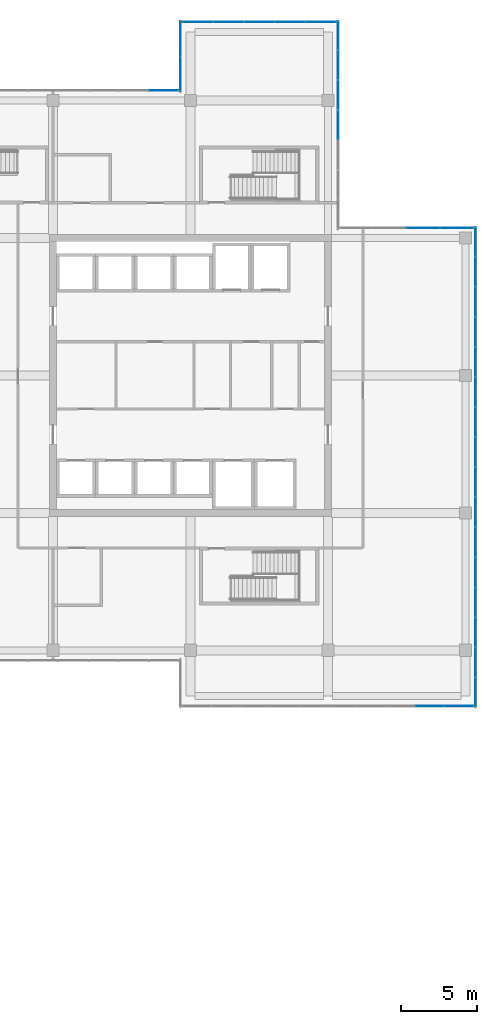
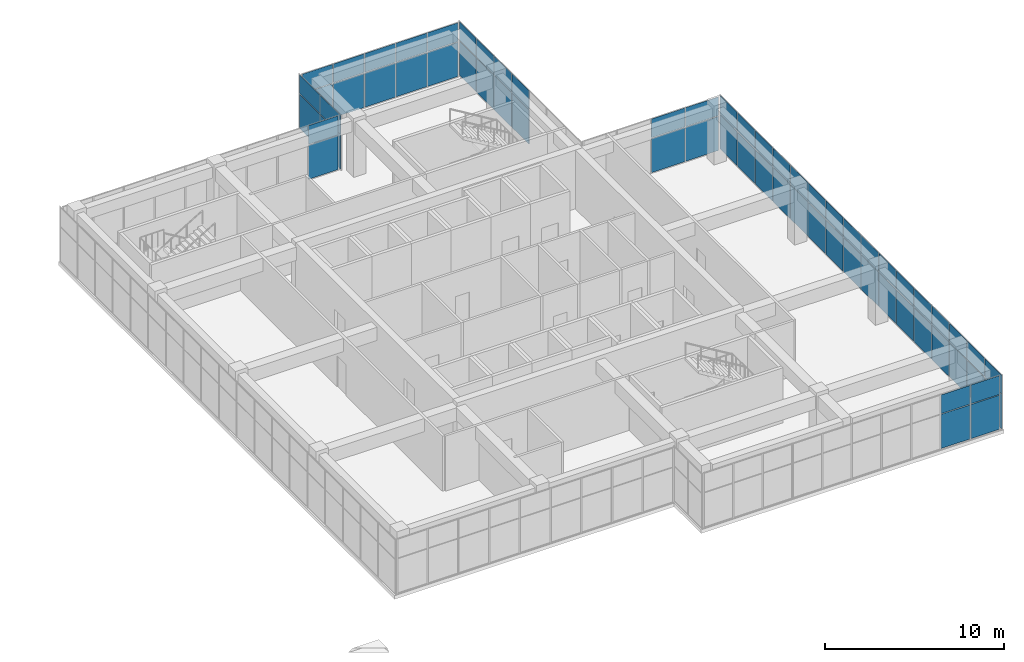
# One storey, part 45 of 55: 64 plates, 7 elements without a shape of their own.
"""IFC4 building model written with IfcOpenShell, lengths in metres."""

from ifc_helpers import new_model, si_unit, direction, frame, origin, origin_2d, place, context, subcontext, project, spatial, rectangle, extrude, material, layer, layer_set, type_object, element, aggregate, save


model = new_model("IFC4")

# Units and contexts
model_context = context("Model", 3, precision=1e-05, world=origin(), true_north=direction((0.0, 1.0)))
body_context = subcontext(model_context, "Body", "Model", "MODEL_VIEW")
ifc_project = project(units=[si_unit("LENGTHUNIT", "METRE"), si_unit("AREAUNIT", "SQUARE_METRE"), si_unit("VOLUMEUNIT", "CUBIC_METRE"), si_unit("PLANEANGLEUNIT", "RADIAN"), si_unit("MASSUNIT", "GRAM", prefix="KILO")], contexts=[model_context])

# Site, building, storey
site_placement = place(None, origin())
site = spatial("IfcSite", under=ifc_project, at=site_placement, CompositionType="ELEMENT")
building_placement = place(site_placement, origin())
building = spatial("IfcBuilding", under=site, at=building_placement, Name="Tuart Plaza Theatre", CompositionType="ELEMENT")
storey_placement = place(building_placement, frame((0.0, 0.0, 21.5)))
storey = spatial("IfcBuildingStorey", under=building, at=storey_placement, Name="L05", CompositionType="ELEMENT", Elevation=21.5)

# Curtain wall, plates
ifc_material_1 = material(Name="Aluminium and glass", Category="aluminium")
ifc_layer_1 = layer(ifc_material_1, 0.10009765625)
ifc_layer_set_1 = layer_set([ifc_layer_1], Name="CURTAIN WALL 2000 module")
curtain_wall_type = type_object("IfcCurtainWallType", Name="CURTAIN WALL 2000 module", PredefinedType="NOTDEFINED", material=ifc_layer_set_1)
curtain_wall_1_placement = place(storey_placement, origin())
curtain_wall_1 = element("IfcCurtainWall", 1, at=curtain_wall_1_placement, inside=storey, type_object=curtain_wall_type, Name="CW76", PredefinedType="NOTDEFINED")
ifc_material_2 = material(Name="Glass", Category="glass")
ifc_layer_2 = layer(ifc_material_2, 0.028076171875)
ifc_layer_set_2 = layer_set([ifc_layer_2], Name="CURTAIN PANEL double glazed 28")
plate_type = type_object("IfcPlateType", Name="CURTAIN PANEL double glazed 28", PredefinedType="CURTAIN_PANEL", material=ifc_layer_set_2)
plate_1_placement = place(storey_placement, frame((147.68505859375, 52.35009765625, 0.0498046875), z_axis=(0.0, 0.0, 1.0), x_axis=(1.0, 0.0, 0.0)))
plate_1 = element("IfcPlate", 2, at=plate_1_placement, type_object=plate_type, Name="CW76 panel 9.1", PredefinedType="CURTAIN_PANEL", context=body_context, shape_type="SweptSolid", body=[
    extrude(rectangle(XDim=1.860107421875, YDim=0.028076171875, at=origin_2d()), origin(), (0.0, 0.0, 1.0), 2.324951171875),
])
plate_2_placement = place(storey_placement, frame((147.68505859375, 52.35009765625, 2.425048828125), z_axis=(0.0, 0.0, 1.0), x_axis=(1.0, 0.0, 0.0)))
plate_2 = element("IfcPlate", 3, at=plate_2_placement, type_object=plate_type, Name="CW76 panel 9.2", PredefinedType="CURTAIN_PANEL", context=body_context, shape_type="SweptSolid", body=[
    extrude(rectangle(XDim=1.860107421875, YDim=0.028076171875, at=origin_2d()), origin(), (0.0, 0.0, 1.0), 1.27490234375),
])
plate_3_placement = place(storey_placement, frame((149.58251953125, 52.35009765625, 0.0498046875), z_axis=(0.0, 0.0, 1.0), x_axis=(1.0, 0.0, 0.0)))
plate_3 = element("IfcPlate", 4, at=plate_3_placement, type_object=plate_type, Name="CW76 panel 10.1", PredefinedType="CURTAIN_PANEL", context=body_context, shape_type="SweptSolid", body=[
    extrude(rectangle(XDim=1.8349609375, YDim=0.028076171875, at=origin_2d()), origin(), (0.0, 0.0, 1.0), 2.324951171875),
])
plate_4_placement = place(storey_placement, frame((149.58251953125, 52.35009765625, 2.425048828125), z_axis=(0.0, 0.0, 1.0), x_axis=(1.0, 0.0, 0.0)))
plate_4 = element("IfcPlate", 5, at=plate_4_placement, type_object=plate_type, Name="CW76 panel 10.2", PredefinedType="CURTAIN_PANEL", context=body_context, shape_type="SweptSolid", body=[
    extrude(rectangle(XDim=1.8349609375, YDim=0.028076171875, at=origin_2d()), origin(), (0.0, 0.0, 1.0), 1.27490234375),
])
aggregate(curtain_wall_1, [plate_1, plate_2, plate_3, plate_4])

curtain_wall_2_placement = place(storey_placement, origin())
curtain_wall_2 = element("IfcCurtainWall", 6, at=curtain_wall_2_placement, inside=storey, type_object=curtain_wall_type, Name="CW78", PredefinedType="NOTDEFINED")
plate_5_placement = place(storey_placement, frame((150.64990234375, 53.246826171875, 0.0498046875), z_axis=(0.0, 0.0, 1.0), x_axis=(0.0, 1.0, 0.0)))
plate_5 = element("IfcPlate", 7, at=plate_5_placement, type_object=plate_type, Name="CW78 panel 1.1", PredefinedType="CURTAIN_PANEL", context=body_context, shape_type="SweptSolid", body=[
    extrude(rectangle(XDim=1.893798828125, YDim=0.028076171875, at=origin_2d()), origin(), (0.0, 0.0, 1.0), 2.324951171875),
])
plate_6_placement = place(storey_placement, frame((150.64990234375, 53.246826171875, 2.425048828125), z_axis=(0.0, 0.0, 1.0), x_axis=(0.0, 1.0, 0.0)))
plate_6 = element("IfcPlate", 8, at=plate_6_placement, type_object=plate_type, Name="CW78 panel 1.2", PredefinedType="CURTAIN_PANEL", context=body_context, shape_type="SweptSolid", body=[
    extrude(rectangle(XDim=1.893798828125, YDim=0.028076171875, at=origin_2d()), origin(), (0.0, 0.0, 1.0), 1.27490234375),
])
plate_7_placement = place(storey_placement, frame((150.64990234375, 55.203125, 0.0498046875), z_axis=(0.0, 0.0, 1.0), x_axis=(0.0, 1.0, 0.0)))
plate_7 = element("IfcPlate", 9, at=plate_7_placement, type_object=plate_type, Name="CW78 panel 2.1", PredefinedType="CURTAIN_PANEL", context=body_context, shape_type="SweptSolid", body=[
    extrude(rectangle(XDim=1.918701171875, YDim=0.028076171875, at=origin_2d()), origin(), (0.0, 0.0, 1.0), 2.324951171875),
])
plate_8_placement = place(storey_placement, frame((150.64990234375, 55.203125, 2.425048828125), z_axis=(0.0, 0.0, 1.0), x_axis=(0.0, 1.0, 0.0)))
plate_8 = element("IfcPlate", 10, at=plate_8_placement, type_object=plate_type, Name="CW78 panel 2.2", PredefinedType="CURTAIN_PANEL", context=body_context, shape_type="SweptSolid", body=[
    extrude(rectangle(XDim=1.918701171875, YDim=0.028076171875, at=origin_2d()), origin(), (0.0, 0.0, 1.0), 1.27490234375),
])
plate_9_placement = place(storey_placement, frame((150.64990234375, 57.171875, 0.0498046875), z_axis=(0.0, 0.0, 1.0), x_axis=(0.0, 1.0, 0.0)))
plate_9 = element("IfcPlate", 11, at=plate_9_placement, type_object=plate_type, Name="CW78 panel 3.1", PredefinedType="CURTAIN_PANEL", context=body_context, shape_type="SweptSolid", body=[
    extrude(rectangle(XDim=1.918701171875, YDim=0.028076171875, at=origin_2d()), origin(), (0.0, 0.0, 1.0), 2.324951171875),
])
plate_10_placement = place(storey_placement, frame((150.64990234375, 57.171875, 2.425048828125), z_axis=(0.0, 0.0, 1.0), x_axis=(0.0, 1.0, 0.0)))
plate_10 = element("IfcPlate", 12, at=plate_10_placement, type_object=plate_type, Name="CW78 panel 3.2", PredefinedType="CURTAIN_PANEL", context=body_context, shape_type="SweptSolid", body=[
    extrude(rectangle(XDim=1.918701171875, YDim=0.028076171875, at=origin_2d()), origin(), (0.0, 0.0, 1.0), 1.27490234375),
])
plate_11_placement = place(storey_placement, frame((150.64990234375, 59.140625, 0.0498046875), z_axis=(0.0, 0.0, 1.0), x_axis=(0.0, 1.0, 0.0)))
plate_11 = element("IfcPlate", 13, at=plate_11_placement, type_object=plate_type, Name="CW78 panel 4.1", PredefinedType="CURTAIN_PANEL", context=body_context, shape_type="SweptSolid", body=[
    extrude(rectangle(XDim=1.918701171875, YDim=0.028076171875, at=origin_2d()), origin(), (0.0, 0.0, 1.0), 2.324951171875),
])
plate_12_placement = place(storey_placement, frame((150.64990234375, 59.140625, 2.425048828125), z_axis=(0.0, 0.0, 1.0), x_axis=(0.0, 1.0, 0.0)))
plate_12 = element("IfcPlate", 14, at=plate_12_placement, type_object=plate_type, Name="CW78 panel 4.2", PredefinedType="CURTAIN_PANEL", context=body_context, shape_type="SweptSolid", body=[
    extrude(rectangle(XDim=1.918701171875, YDim=0.028076171875, at=origin_2d()), origin(), (0.0, 0.0, 1.0), 1.27490234375),
])
plate_13_placement = place(storey_placement, frame((150.64990234375, 61.109375, 0.0498046875), z_axis=(0.0, 0.0, 1.0), x_axis=(0.0, 1.0, 0.0)))
plate_13 = element("IfcPlate", 15, at=plate_13_placement, type_object=plate_type, Name="CW78 panel 5.1", PredefinedType="CURTAIN_PANEL", context=body_context, shape_type="SweptSolid", body=[
    extrude(rectangle(XDim=1.918701171875, YDim=0.028076171875, at=origin_2d()), origin(), (0.0, 0.0, 1.0), 2.324951171875),
])
plate_14_placement = place(storey_placement, frame((150.64990234375, 61.109375, 2.425048828125), z_axis=(0.0, 0.0, 1.0), x_axis=(0.0, 1.0, 0.0)))
plate_14 = element("IfcPlate", 16, at=plate_14_placement, type_object=plate_type, Name="CW78 panel 5.2", PredefinedType="CURTAIN_PANEL", context=body_context, shape_type="SweptSolid", body=[
    extrude(rectangle(XDim=1.918701171875, YDim=0.028076171875, at=origin_2d()), origin(), (0.0, 0.0, 1.0), 1.27490234375),
])
plate_15_placement = place(storey_placement, frame((150.64990234375, 63.078125, 0.0498046875), z_axis=(0.0, 0.0, 1.0), x_axis=(0.0, 1.0, 0.0)))
plate_15 = element("IfcPlate", 17, at=plate_15_placement, type_object=plate_type, Name="CW78 panel 6.1", PredefinedType="CURTAIN_PANEL", context=body_context, shape_type="SweptSolid", body=[
    extrude(rectangle(XDim=1.918701171875, YDim=0.028076171875, at=origin_2d()), origin(), (0.0, 0.0, 1.0), 2.324951171875),
])
plate_16_placement = place(storey_placement, frame((150.64990234375, 63.078125, 2.425048828125), z_axis=(0.0, 0.0, 1.0), x_axis=(0.0, 1.0, 0.0)))
plate_16 = element("IfcPlate", 18, at=plate_16_placement, type_object=plate_type, Name="CW78 panel 6.2", PredefinedType="CURTAIN_PANEL", context=body_context, shape_type="SweptSolid", body=[
    extrude(rectangle(XDim=1.918701171875, YDim=0.028076171875, at=origin_2d()), origin(), (0.0, 0.0, 1.0), 1.27490234375),
])
plate_17_placement = place(storey_placement, frame((150.64990234375, 65.046875, 0.0498046875), z_axis=(0.0, 0.0, 1.0), x_axis=(0.0, 1.0, 0.0)))
plate_17 = element("IfcPlate", 19, at=plate_17_placement, type_object=plate_type, Name="CW78 panel 7.1", PredefinedType="CURTAIN_PANEL", context=body_context, shape_type="SweptSolid", body=[
    extrude(rectangle(XDim=1.918701171875, YDim=0.028076171875, at=origin_2d()), origin(), (0.0, 0.0, 1.0), 2.324951171875),
])
plate_18_placement = place(storey_placement, frame((150.64990234375, 65.046875, 2.425048828125), z_axis=(0.0, 0.0, 1.0), x_axis=(0.0, 1.0, 0.0)))
plate_18 = element("IfcPlate", 20, at=plate_18_placement, type_object=plate_type, Name="CW78 panel 7.2", PredefinedType="CURTAIN_PANEL", context=body_context, shape_type="SweptSolid", body=[
    extrude(rectangle(XDim=1.918701171875, YDim=0.028076171875, at=origin_2d()), origin(), (0.0, 0.0, 1.0), 1.27490234375),
])
plate_19_placement = place(storey_placement, frame((150.64990234375, 67.015625, 0.0498046875), z_axis=(0.0, 0.0, 1.0), x_axis=(0.0, 1.0, 0.0)))
plate_19 = element("IfcPlate", 21, at=plate_19_placement, type_object=plate_type, Name="CW78 panel 8.1", PredefinedType="CURTAIN_PANEL", context=body_context, shape_type="SweptSolid", body=[
    extrude(rectangle(XDim=1.918701171875, YDim=0.028076171875, at=origin_2d()), origin(), (0.0, 0.0, 1.0), 2.324951171875),
])
plate_20_placement = place(storey_placement, frame((150.64990234375, 67.015625, 2.425048828125), z_axis=(0.0, 0.0, 1.0), x_axis=(0.0, 1.0, 0.0)))
plate_20 = element("IfcPlate", 22, at=plate_20_placement, type_object=plate_type, Name="CW78 panel 8.2", PredefinedType="CURTAIN_PANEL", context=body_context, shape_type="SweptSolid", body=[
    extrude(rectangle(XDim=1.918701171875, YDim=0.028076171875, at=origin_2d()), origin(), (0.0, 0.0, 1.0), 1.27490234375),
])
plate_21_placement = place(storey_placement, frame((150.64990234375, 68.984375, 0.0498046875), z_axis=(0.0, 0.0, 1.0), x_axis=(0.0, 1.0, 0.0)))
plate_21 = element("IfcPlate", 23, at=plate_21_placement, type_object=plate_type, Name="CW78 panel 9.1", PredefinedType="CURTAIN_PANEL", context=body_context, shape_type="SweptSolid", body=[
    extrude(rectangle(XDim=1.918701171875, YDim=0.028076171875, at=origin_2d()), origin(), (0.0, 0.0, 1.0), 2.324951171875),
])
plate_22_placement = place(storey_placement, frame((150.64990234375, 68.984375, 2.425048828125), z_axis=(0.0, 0.0, 1.0), x_axis=(0.0, 1.0, 0.0)))
plate_22 = element("IfcPlate", 24, at=plate_22_placement, type_object=plate_type, Name="CW78 panel 9.2", PredefinedType="CURTAIN_PANEL", context=body_context, shape_type="SweptSolid", body=[
    extrude(rectangle(XDim=1.918701171875, YDim=0.028076171875, at=origin_2d()), origin(), (0.0, 0.0, 1.0), 1.27490234375),
])
plate_23_placement = place(storey_placement, frame((150.64990234375, 70.953125, 0.0498046875), z_axis=(0.0, 0.0, 1.0), x_axis=(0.0, 1.0, 0.0)))
plate_23 = element("IfcPlate", 25, at=plate_23_placement, type_object=plate_type, Name="CW78 panel 10.1", PredefinedType="CURTAIN_PANEL", context=body_context, shape_type="SweptSolid", body=[
    extrude(rectangle(XDim=1.918701171875, YDim=0.028076171875, at=origin_2d()), origin(), (0.0, 0.0, 1.0), 2.324951171875),
])
plate_24_placement = place(storey_placement, frame((150.64990234375, 70.953125, 2.425048828125), z_axis=(0.0, 0.0, 1.0), x_axis=(0.0, 1.0, 0.0)))
plate_24 = element("IfcPlate", 26, at=plate_24_placement, type_object=plate_type, Name="CW78 panel 10.2", PredefinedType="CURTAIN_PANEL", context=body_context, shape_type="SweptSolid", body=[
    extrude(rectangle(XDim=1.918701171875, YDim=0.028076171875, at=origin_2d()), origin(), (0.0, 0.0, 1.0), 1.27490234375),
])
plate_25_placement = place(storey_placement, frame((150.64990234375, 72.921875, 0.0498046875), z_axis=(0.0, 0.0, 1.0), x_axis=(0.0, 1.0, 0.0)))
plate_25 = element("IfcPlate", 27, at=plate_25_placement, type_object=plate_type, Name="CW78 panel 11.1", PredefinedType="CURTAIN_PANEL", context=body_context, shape_type="SweptSolid", body=[
    extrude(rectangle(XDim=1.918701171875, YDim=0.028076171875, at=origin_2d()), origin(), (0.0, 0.0, 1.0), 2.324951171875),
])
plate_26_placement = place(storey_placement, frame((150.64990234375, 72.921875, 2.425048828125), z_axis=(0.0, 0.0, 1.0), x_axis=(0.0, 1.0, 0.0)))
plate_26 = element("IfcPlate", 28, at=plate_26_placement, type_object=plate_type, Name="CW78 panel 11.2", PredefinedType="CURTAIN_PANEL", context=body_context, shape_type="SweptSolid", body=[
    extrude(rectangle(XDim=1.918701171875, YDim=0.028076171875, at=origin_2d()), origin(), (0.0, 0.0, 1.0), 1.27490234375),
])
plate_27_placement = place(storey_placement, frame((150.64990234375, 74.890625, 0.0498046875), z_axis=(0.0, 0.0, 1.0), x_axis=(0.0, 1.0, 0.0)))
plate_27 = element("IfcPlate", 29, at=plate_27_placement, type_object=plate_type, Name="CW78 panel 12.1", PredefinedType="CURTAIN_PANEL", context=body_context, shape_type="SweptSolid", body=[
    extrude(rectangle(XDim=1.918701171875, YDim=0.028076171875, at=origin_2d()), origin(), (0.0, 0.0, 1.0), 2.324951171875),
])
plate_28_placement = place(storey_placement, frame((150.64990234375, 74.890625, 2.425048828125), z_axis=(0.0, 0.0, 1.0), x_axis=(0.0, 1.0, 0.0)))
plate_28 = element("IfcPlate", 30, at=plate_28_placement, type_object=plate_type, Name="CW78 panel 12.2", PredefinedType="CURTAIN_PANEL", context=body_context, shape_type="SweptSolid", body=[
    extrude(rectangle(XDim=1.918701171875, YDim=0.028076171875, at=origin_2d()), origin(), (0.0, 0.0, 1.0), 1.27490234375),
])
plate_29_placement = place(storey_placement, frame((150.64990234375, 76.859375, 0.0498046875), z_axis=(0.0, 0.0, 1.0), x_axis=(0.0, 1.0, 0.0)))
plate_29 = element("IfcPlate", 31, at=plate_29_placement, type_object=plate_type, Name="CW78 panel 13.1", PredefinedType="CURTAIN_PANEL", context=body_context, shape_type="SweptSolid", body=[
    extrude(rectangle(XDim=1.918701171875, YDim=0.028076171875, at=origin_2d()), origin(), (0.0, 0.0, 1.0), 2.324951171875),
])
plate_30_placement = place(storey_placement, frame((150.64990234375, 76.859375, 2.425048828125), z_axis=(0.0, 0.0, 1.0), x_axis=(0.0, 1.0, 0.0)))
plate_30 = element("IfcPlate", 32, at=plate_30_placement, type_object=plate_type, Name="CW78 panel 13.2", PredefinedType="CURTAIN_PANEL", context=body_context, shape_type="SweptSolid", body=[
    extrude(rectangle(XDim=1.918701171875, YDim=0.028076171875, at=origin_2d()), origin(), (0.0, 0.0, 1.0), 1.27490234375),
])
plate_31_placement = place(storey_placement, frame((150.64990234375, 78.828125, 0.0498046875), z_axis=(0.0, 0.0, 1.0), x_axis=(0.0, 1.0, 0.0)))
plate_31 = element("IfcPlate", 33, at=plate_31_placement, type_object=plate_type, Name="CW78 panel 14.1", PredefinedType="CURTAIN_PANEL", context=body_context, shape_type="SweptSolid", body=[
    extrude(rectangle(XDim=1.918701171875, YDim=0.028076171875, at=origin_2d()), origin(), (0.0, 0.0, 1.0), 2.324951171875),
])
plate_32_placement = place(storey_placement, frame((150.64990234375, 78.828125, 2.425048828125), z_axis=(0.0, 0.0, 1.0), x_axis=(0.0, 1.0, 0.0)))
plate_32 = element("IfcPlate", 34, at=plate_32_placement, type_object=plate_type, Name="CW78 panel 14.2", PredefinedType="CURTAIN_PANEL", context=body_context, shape_type="SweptSolid", body=[
    extrude(rectangle(XDim=1.918701171875, YDim=0.028076171875, at=origin_2d()), origin(), (0.0, 0.0, 1.0), 1.27490234375),
])
plate_33_placement = place(storey_placement, frame((150.64990234375, 80.796875, 0.0498046875), z_axis=(0.0, 0.0, 1.0), x_axis=(0.0, 1.0, 0.0)))
plate_33 = element("IfcPlate", 35, at=plate_33_placement, type_object=plate_type, Name="CW78 panel 15.1", PredefinedType="CURTAIN_PANEL", context=body_context, shape_type="SweptSolid", body=[
    extrude(rectangle(XDim=1.918701171875, YDim=0.028076171875, at=origin_2d()), origin(), (0.0, 0.0, 1.0), 2.324951171875),
])
plate_34_placement = place(storey_placement, frame((150.64990234375, 80.796875, 2.425048828125), z_axis=(0.0, 0.0, 1.0), x_axis=(0.0, 1.0, 0.0)))
plate_34 = element("IfcPlate", 36, at=plate_34_placement, type_object=plate_type, Name="CW78 panel 15.2", PredefinedType="CURTAIN_PANEL", context=body_context, shape_type="SweptSolid", body=[
    extrude(rectangle(XDim=1.918701171875, YDim=0.028076171875, at=origin_2d()), origin(), (0.0, 0.0, 1.0), 1.27490234375),
])
plate_35_placement = place(storey_placement, frame((150.64990234375, 82.753173828125, 0.0498046875), z_axis=(0.0, 0.0, 1.0), x_axis=(0.0, 1.0, 0.0)))
plate_35 = element("IfcPlate", 37, at=plate_35_placement, type_object=plate_type, Name="CW78 panel 16.1", PredefinedType="CURTAIN_PANEL", context=body_context, shape_type="SweptSolid", body=[
    extrude(rectangle(XDim=1.893798828125, YDim=0.028076171875, at=origin_2d()), origin(), (0.0, 0.0, 1.0), 2.324951171875),
])
plate_36_placement = place(storey_placement, frame((150.64990234375, 82.753173828125, 2.425048828125), z_axis=(0.0, 0.0, 1.0), x_axis=(0.0, 1.0, 0.0)))
plate_36 = element("IfcPlate", 38, at=plate_36_placement, type_object=plate_type, Name="CW78 panel 16.2", PredefinedType="CURTAIN_PANEL", context=body_context, shape_type="SweptSolid", body=[
    extrude(rectangle(XDim=1.893798828125, YDim=0.028076171875, at=origin_2d()), origin(), (0.0, 0.0, 1.0), 1.27490234375),
])
aggregate(curtain_wall_2, [plate_5, plate_6, plate_7, plate_8, plate_9, plate_10, plate_11, plate_12, plate_13, plate_14, plate_15, plate_16, plate_17, plate_18, plate_19, plate_20, plate_21, plate_22, plate_23, plate_24, plate_25, plate_26, plate_27, plate_28, plate_29, plate_30, plate_31, plate_32, plate_33, plate_34, plate_35, plate_36])

curtain_wall_3_placement = place(storey_placement, origin())
curtain_wall_3 = element("IfcCurtainWall", 39, at=curtain_wall_3_placement, inside=storey, type_object=curtain_wall_type, Name="CW79", PredefinedType="NOTDEFINED")
plate_37_placement = place(storey_placement, frame((149.4375, 83.64990234375, 0.0498046875), z_axis=(0.0, 0.0, 1.0), x_axis=(-1.0, 0.0, 0.0)))
plate_37 = element("IfcPlate", 40, at=plate_37_placement, type_object=plate_type, Name="CW79 panel 1.1", PredefinedType="CURTAIN_PANEL", context=body_context, shape_type="SweptSolid", body=[
    extrude(rectangle(XDim=2.125, YDim=0.028076171875, at=origin_2d()), origin(), (0.0, 0.0, 1.0), 2.324951171875),
])
plate_38_placement = place(storey_placement, frame((149.4375, 83.64990234375, 2.425048828125), z_axis=(0.0, 0.0, 1.0), x_axis=(-1.0, 0.0, 0.0)))
plate_38 = element("IfcPlate", 41, at=plate_38_placement, type_object=plate_type, Name="CW79 panel 1.2", PredefinedType="CURTAIN_PANEL", context=body_context, shape_type="SweptSolid", body=[
    extrude(rectangle(XDim=2.125, YDim=0.028076171875, at=origin_2d()), origin(), (0.0, 0.0, 1.0), 1.27490234375),
])
plate_39_placement = place(storey_placement, frame((147.25, 83.64990234375, 0.0498046875), z_axis=(0.0, 0.0, 1.0), x_axis=(-1.0, 0.0, 0.0)))
plate_39 = element("IfcPlate", 42, at=plate_39_placement, type_object=plate_type, Name="CW79 panel 2.1", PredefinedType="CURTAIN_PANEL", context=body_context, shape_type="SweptSolid", body=[
    extrude(rectangle(XDim=2.14990234375, YDim=0.028076171875, at=origin_2d()), origin(), (0.0, 0.0, 1.0), 2.324951171875),
])
plate_40_placement = place(storey_placement, frame((147.25, 83.64990234375, 2.425048828125), z_axis=(0.0, 0.0, 1.0), x_axis=(-1.0, 0.0, 0.0)))
plate_40 = element("IfcPlate", 43, at=plate_40_placement, type_object=plate_type, Name="CW79 panel 2.2", PredefinedType="CURTAIN_PANEL", context=body_context, shape_type="SweptSolid", body=[
    extrude(rectangle(XDim=2.14990234375, YDim=0.028076171875, at=origin_2d()), origin(), (0.0, 0.0, 1.0), 1.27490234375),
])
aggregate(curtain_wall_3, [plate_37, plate_38, plate_39, plate_40])

curtain_wall_4_placement = place(storey_placement, origin())
curtain_wall_4 = element("IfcCurtainWall", 44, at=curtain_wall_4_placement, inside=storey, type_object=curtain_wall_type, Name="CW81", PredefinedType="NOTDEFINED")
plate_41_placement = place(storey_placement, frame((141.64990234375, 90.39990234375, 0.0498046875), z_axis=(0.0, 0.0, 1.0), x_axis=(0.0, 1.0, 0.0)))
plate_41 = element("IfcPlate", 45, at=plate_41_placement, type_object=plate_type, Name="CW81 panel 4.1", PredefinedType="CURTAIN_PANEL", context=body_context, shape_type="SweptSolid", body=[
    extrude(rectangle(XDim=1.9072265625, YDim=0.028076171875, at=origin_2d()), origin(), (0.0, 0.0, 1.0), 2.324951171875),
])
plate_42_placement = place(storey_placement, frame((141.64990234375, 90.39990234375, 2.425048828125), z_axis=(0.0, 0.0, 1.0), x_axis=(0.0, 1.0, 0.0)))
plate_42 = element("IfcPlate", 46, at=plate_42_placement, type_object=plate_type, Name="CW81 panel 4.2", PredefinedType="CURTAIN_PANEL", context=body_context, shape_type="SweptSolid", body=[
    extrude(rectangle(XDim=1.9072265625, YDim=0.028076171875, at=origin_2d()), origin(), (0.0, 0.0, 1.0), 1.27490234375),
])
plate_43_placement = place(storey_placement, frame((141.64990234375, 92.357177734375, 0.0498046875), z_axis=(0.0, 0.0, 1.0), x_axis=(0.0, 1.0, 0.0)))
plate_43 = element("IfcPlate", 47, at=plate_43_placement, type_object=plate_type, Name="CW81 panel 5.1", PredefinedType="CURTAIN_PANEL", context=body_context, shape_type="SweptSolid", body=[
    extrude(rectangle(XDim=1.9072265625, YDim=0.028076171875, at=origin_2d()), origin(), (0.0, 0.0, 1.0), 2.324951171875),
])
plate_44_placement = place(storey_placement, frame((141.64990234375, 92.357177734375, 2.425048828125), z_axis=(0.0, 0.0, 1.0), x_axis=(0.0, 1.0, 0.0)))
plate_44 = element("IfcPlate", 48, at=plate_44_placement, type_object=plate_type, Name="CW81 panel 5.2", PredefinedType="CURTAIN_PANEL", context=body_context, shape_type="SweptSolid", body=[
    extrude(rectangle(XDim=1.9072265625, YDim=0.028076171875, at=origin_2d()), origin(), (0.0, 0.0, 1.0), 1.27490234375),
])
plate_45_placement = place(storey_placement, frame((141.64990234375, 94.314208984375, 0.0498046875), z_axis=(0.0, 0.0, 1.0), x_axis=(0.0, 1.0, 0.0)))
plate_45 = element("IfcPlate", 49, at=plate_45_placement, type_object=plate_type, Name="CW81 panel 6.1", PredefinedType="CURTAIN_PANEL", context=body_context, shape_type="SweptSolid", body=[
    extrude(rectangle(XDim=1.9072265625, YDim=0.028076171875, at=origin_2d()), origin(), (0.0, 0.0, 1.0), 2.324951171875),
])
plate_46_placement = place(storey_placement, frame((141.64990234375, 94.314208984375, 2.425048828125), z_axis=(0.0, 0.0, 1.0), x_axis=(0.0, 1.0, 0.0)))
plate_46 = element("IfcPlate", 50, at=plate_46_placement, type_object=plate_type, Name="CW81 panel 6.2", PredefinedType="CURTAIN_PANEL", context=body_context, shape_type="SweptSolid", body=[
    extrude(rectangle(XDim=1.9072265625, YDim=0.028076171875, at=origin_2d()), origin(), (0.0, 0.0, 1.0), 1.27490234375),
])
plate_47_placement = place(storey_placement, frame((141.64990234375, 96.259033203125, 0.0498046875), z_axis=(0.0, 0.0, 1.0), x_axis=(0.0, 1.0, 0.0)))
plate_47 = element("IfcPlate", 51, at=plate_47_placement, type_object=plate_type, Name="CW81 panel 7.1", PredefinedType="CURTAIN_PANEL", context=body_context, shape_type="SweptSolid", body=[
    extrude(rectangle(XDim=1.882080078125, YDim=0.028076171875, at=origin_2d()), origin(), (0.0, 0.0, 1.0), 2.324951171875),
])
plate_48_placement = place(storey_placement, frame((141.64990234375, 96.259033203125, 2.425048828125), z_axis=(0.0, 0.0, 1.0), x_axis=(0.0, 1.0, 0.0)))
plate_48 = element("IfcPlate", 52, at=plate_48_placement, type_object=plate_type, Name="CW81 panel 7.2", PredefinedType="CURTAIN_PANEL", context=body_context, shape_type="SweptSolid", body=[
    extrude(rectangle(XDim=1.882080078125, YDim=0.028076171875, at=origin_2d()), origin(), (0.0, 0.0, 1.0), 1.27490234375),
])
aggregate(curtain_wall_4, [plate_41, plate_42, plate_43, plate_44, plate_45, plate_46, plate_47, plate_48])

curtain_wall_5_placement = place(storey_placement, origin())
curtain_wall_5 = element("IfcCurtainWall", 53, at=curtain_wall_5_placement, inside=storey, type_object=curtain_wall_type, Name="CW82", PredefinedType="NOTDEFINED")
plate_49_placement = place(storey_placement, frame((140.527587890625, 97.14990234375, 0.0498046875), z_axis=(0.0, 0.0, 1.0), x_axis=(-1.0, 0.0, 0.0)))
plate_49 = element("IfcPlate", 54, at=plate_49_placement, type_object=plate_type, Name="CW82 panel 1.1", PredefinedType="CURTAIN_PANEL", context=body_context, shape_type="SweptSolid", body=[
    extrude(rectangle(XDim=1.945068359375, YDim=0.028076171875, at=origin_2d()), origin(), (0.0, 0.0, 1.0), 2.324951171875),
])
plate_50_placement = place(storey_placement, frame((140.527587890625, 97.14990234375, 2.425048828125), z_axis=(0.0, 0.0, 1.0), x_axis=(-1.0, 0.0, 0.0)))
plate_50 = element("IfcPlate", 55, at=plate_50_placement, type_object=plate_type, Name="CW82 panel 1.2", PredefinedType="CURTAIN_PANEL", context=body_context, shape_type="SweptSolid", body=[
    extrude(rectangle(XDim=1.945068359375, YDim=0.028076171875, at=origin_2d()), origin(), (0.0, 0.0, 1.0), 1.27490234375),
])
plate_51_placement = place(storey_placement, frame((138.52001953125, 97.14990234375, 0.0498046875), z_axis=(0.0, 0.0, 1.0), x_axis=(-1.0, 0.0, 0.0)))
plate_51 = element("IfcPlate", 56, at=plate_51_placement, type_object=plate_type, Name="CW82 panel 2.1", PredefinedType="CURTAIN_PANEL", context=body_context, shape_type="SweptSolid", body=[
    extrude(rectangle(XDim=1.969970703125, YDim=0.028076171875, at=origin_2d()), origin(), (0.0, 0.0, 1.0), 2.324951171875),
])
plate_52_placement = place(storey_placement, frame((138.52001953125, 97.14990234375, 2.425048828125), z_axis=(0.0, 0.0, 1.0), x_axis=(-1.0, 0.0, 0.0)))
plate_52 = element("IfcPlate", 57, at=plate_52_placement, type_object=plate_type, Name="CW82 panel 2.2", PredefinedType="CURTAIN_PANEL", context=body_context, shape_type="SweptSolid", body=[
    extrude(rectangle(XDim=1.969970703125, YDim=0.028076171875, at=origin_2d()), origin(), (0.0, 0.0, 1.0), 1.27490234375),
])
plate_53_placement = place(storey_placement, frame((136.5, 97.14990234375, 0.0498046875), z_axis=(0.0, 0.0, 1.0), x_axis=(-1.0, 0.0, 0.0)))
plate_53 = element("IfcPlate", 58, at=plate_53_placement, type_object=plate_type, Name="CW82 panel 3.1", PredefinedType="CURTAIN_PANEL", context=body_context, shape_type="SweptSolid", body=[
    extrude(rectangle(XDim=1.969970703125, YDim=0.028076171875, at=origin_2d()), origin(), (0.0, 0.0, 1.0), 2.324951171875),
])
plate_54_placement = place(storey_placement, frame((136.5, 97.14990234375, 2.425048828125), z_axis=(0.0, 0.0, 1.0), x_axis=(-1.0, 0.0, 0.0)))
plate_54 = element("IfcPlate", 59, at=plate_54_placement, type_object=plate_type, Name="CW82 panel 3.2", PredefinedType="CURTAIN_PANEL", context=body_context, shape_type="SweptSolid", body=[
    extrude(rectangle(XDim=1.969970703125, YDim=0.028076171875, at=origin_2d()), origin(), (0.0, 0.0, 1.0), 1.27490234375),
])
plate_55_placement = place(storey_placement, frame((134.47998046875, 97.14990234375, 0.0498046875), z_axis=(0.0, 0.0, 1.0), x_axis=(-1.0, 0.0, 0.0)))
plate_55 = element("IfcPlate", 60, at=plate_55_placement, type_object=plate_type, Name="CW82 panel 4.1", PredefinedType="CURTAIN_PANEL", context=body_context, shape_type="SweptSolid", body=[
    extrude(rectangle(XDim=1.969970703125, YDim=0.028076171875, at=origin_2d()), origin(), (0.0, 0.0, 1.0), 2.324951171875),
])
plate_56_placement = place(storey_placement, frame((134.47998046875, 97.14990234375, 2.425048828125), z_axis=(0.0, 0.0, 1.0), x_axis=(-1.0, 0.0, 0.0)))
plate_56 = element("IfcPlate", 61, at=plate_56_placement, type_object=plate_type, Name="CW82 panel 4.2", PredefinedType="CURTAIN_PANEL", context=body_context, shape_type="SweptSolid", body=[
    extrude(rectangle(XDim=1.969970703125, YDim=0.028076171875, at=origin_2d()), origin(), (0.0, 0.0, 1.0), 1.27490234375),
])
plate_57_placement = place(storey_placement, frame((132.472412109375, 97.14990234375, 0.0498046875), z_axis=(0.0, 0.0, 1.0), x_axis=(-1.0, 0.0, 0.0)))
plate_57 = element("IfcPlate", 62, at=plate_57_placement, type_object=plate_type, Name="CW82 panel 5.1", PredefinedType="CURTAIN_PANEL", context=body_context, shape_type="SweptSolid", body=[
    extrude(rectangle(XDim=1.945068359375, YDim=0.028076171875, at=origin_2d()), origin(), (0.0, 0.0, 1.0), 2.324951171875),
])
plate_58_placement = place(storey_placement, frame((132.472412109375, 97.14990234375, 2.425048828125), z_axis=(0.0, 0.0, 1.0), x_axis=(-1.0, 0.0, 0.0)))
plate_58 = element("IfcPlate", 63, at=plate_58_placement, type_object=plate_type, Name="CW82 panel 5.2", PredefinedType="CURTAIN_PANEL", context=body_context, shape_type="SweptSolid", body=[
    extrude(rectangle(XDim=1.945068359375, YDim=0.028076171875, at=origin_2d()), origin(), (0.0, 0.0, 1.0), 1.27490234375),
])
aggregate(curtain_wall_5, [plate_49, plate_50, plate_51, plate_52, plate_53, plate_54, plate_55, plate_56, plate_57, plate_58])

curtain_wall_6_placement = place(storey_placement, origin())
curtain_wall_6 = element("IfcCurtainWall", 64, at=curtain_wall_6_placement, inside=storey, type_object=curtain_wall_type, Name="CW83", PredefinedType="NOTDEFINED")
plate_59_placement = place(storey_placement, frame((131.35009765625, 96.0625, 0.0498046875), z_axis=(0.0, 0.0, 1.0), x_axis=(0.0, -1.0, 0.0)))
plate_59 = element("IfcPlate", 65, at=plate_59_placement, type_object=plate_type, Name="CW83 panel 1.1", PredefinedType="CURTAIN_PANEL", context=body_context, shape_type="SweptSolid", body=[
    extrude(rectangle(XDim=2.27490234375, YDim=0.028076171875, at=origin_2d()), origin(), (0.0, 0.0, 1.0), 2.324951171875),
])
plate_60_placement = place(storey_placement, frame((131.35009765625, 96.0625, 2.425048828125), z_axis=(0.0, 0.0, 1.0), x_axis=(0.0, -1.0, 0.0)))
plate_60 = element("IfcPlate", 66, at=plate_60_placement, type_object=plate_type, Name="CW83 panel 1.2", PredefinedType="CURTAIN_PANEL", context=body_context, shape_type="SweptSolid", body=[
    extrude(rectangle(XDim=2.27490234375, YDim=0.028076171875, at=origin_2d()), origin(), (0.0, 0.0, 1.0), 1.27490234375),
])
plate_61_placement = place(storey_placement, frame((131.35009765625, 93.737548828125, 0.0498046875), z_axis=(0.0, 0.0, 1.0), x_axis=(0.0, -1.0, 0.0)))
plate_61 = element("IfcPlate", 67, at=plate_61_placement, type_object=plate_type, Name="CW83 panel 2.1", PredefinedType="CURTAIN_PANEL", context=body_context, shape_type="SweptSolid", body=[
    extrude(rectangle(XDim=2.27490234375, YDim=0.028076171875, at=origin_2d()), origin(), (0.0, 0.0, 1.0), 2.324951171875),
])
plate_62_placement = place(storey_placement, frame((131.35009765625, 93.737548828125, 2.425048828125), z_axis=(0.0, 0.0, 1.0), x_axis=(0.0, -1.0, 0.0)))
plate_62 = element("IfcPlate", 68, at=plate_62_placement, type_object=plate_type, Name="CW83 panel 2.2", PredefinedType="CURTAIN_PANEL", context=body_context, shape_type="SweptSolid", body=[
    extrude(rectangle(XDim=2.27490234375, YDim=0.028076171875, at=origin_2d()), origin(), (0.0, 0.0, 1.0), 1.27490234375),
])
aggregate(curtain_wall_6, [plate_59, plate_60, plate_61, plate_62])

curtain_wall_7_placement = place(storey_placement, origin())
curtain_wall_7 = element("IfcCurtainWall", 69, at=curtain_wall_7_placement, inside=storey, type_object=curtain_wall_type, Name="CW84", PredefinedType="NOTDEFINED")
plate_63_placement = place(storey_placement, frame((130.24853515625, 92.64990234375, 0.0498046875), z_axis=(0.0, 0.0, 1.0), x_axis=(-1.0, 0.0, 0.0)))
plate_63 = element("IfcPlate", 70, at=plate_63_placement, type_object=plate_type, Name="CW84 panel 1.1", PredefinedType="CURTAIN_PANEL", context=body_context, shape_type="SweptSolid", body=[
    extrude(rectangle(XDim=1.90283203125, YDim=0.028076171875, at=origin_2d()), origin(), (0.0, 0.0, 1.0), 2.324951171875),
])
plate_64_placement = place(storey_placement, frame((130.24853515625, 92.64990234375, 2.425048828125), z_axis=(0.0, 0.0, 1.0), x_axis=(-1.0, 0.0, 0.0)))
plate_64 = element("IfcPlate", 71, at=plate_64_placement, type_object=plate_type, Name="CW84 panel 1.2", PredefinedType="CURTAIN_PANEL", context=body_context, shape_type="SweptSolid", body=[
    extrude(rectangle(XDim=1.90283203125, YDim=0.028076171875, at=origin_2d()), origin(), (0.0, 0.0, 1.0), 1.27490234375),
])
aggregate(curtain_wall_7, [plate_63, plate_64])

save(model, "model.ifc")
